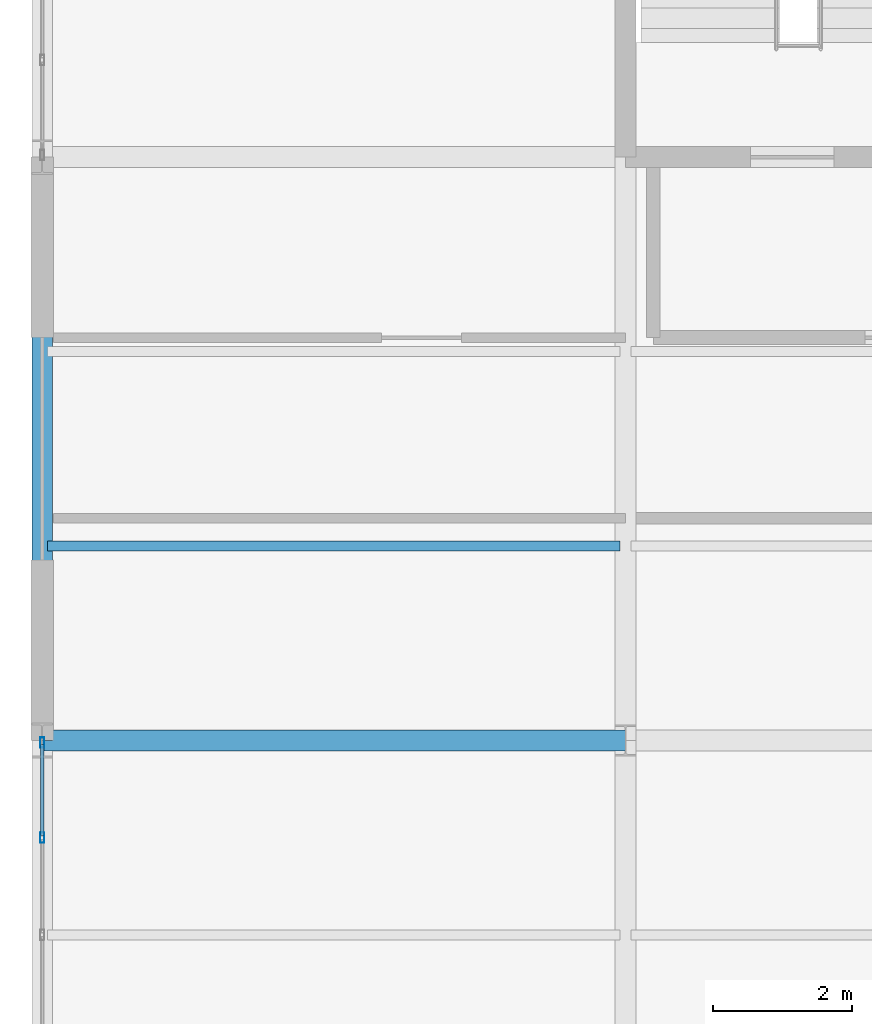
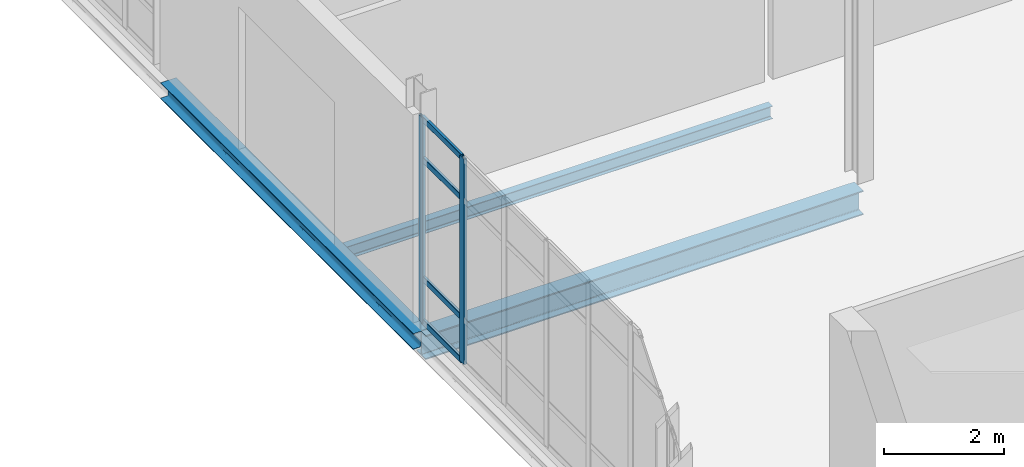
# One storey, part 35 of 145: 6 members, 3 beams, 1 element without a shape of its own.
"""IFC4 building model written with IfcOpenShell, lengths in metres."""

from ifc_helpers import new_model, si_unit, direction, frame, origin, origin_2d, place, context, subcontext, project, spatial, hollow_rectangle, i_section, extrude, material, layer, layer_set, material_profile, profile_set, type_object, element, aggregate, save


model = new_model("IFC4")

# Units and contexts
model_context = context("Model", 3, precision=1e-05, world=origin(), true_north=direction((0.0, 1.0)))
body_context = subcontext(model_context, "Body", "Model", "MODEL_VIEW")
ifc_project = project(units=[si_unit("LENGTHUNIT", "METRE"), si_unit("AREAUNIT", "SQUARE_METRE"), si_unit("VOLUMEUNIT", "CUBIC_METRE"), si_unit("PLANEANGLEUNIT", "RADIAN"), si_unit("MASSUNIT", "GRAM", prefix="KILO")], contexts=[model_context])

# Site, building, storey
site_placement = place(None, origin())
site = spatial("IfcSite", under=ifc_project, at=site_placement, CompositionType="ELEMENT")
building_placement = place(site_placement, origin())
building = spatial("IfcBuilding", under=site, at=building_placement, Name="Qalvenar Corner Mobility Hub", CompositionType="ELEMENT")
storey_placement = place(building_placement, origin())
storey = spatial("IfcBuildingStorey", under=building, at=storey_placement, Name="L00", CompositionType="ELEMENT", Elevation=0.0)

# Beams
ifc_material_1 = material(Name="Steel S355", Category="steel")
ifc_material_profile_1 = material_profile(ifc_material_1, i_section(OverallWidth=0.300048828125, OverallDepth=0.489990234375, WebThickness=0.011962890625, FlangeThickness=0.02294921875, FilletRadius=0.027099609375, at=origin_2d()), Name="HEA500")
ifc_profile_set_1 = profile_set([ifc_material_profile_1], Name="Steel S355")
beam_type_1 = type_object("IfcBeamType", Name="BM-HEA500", PredefinedType="BEAM", material=ifc_profile_set_1)
beam_1_placement = place(storey_placement, frame((0.0, 50.39990234375, -0.465087890625), z_axis=(1.0, 0.0, 0.0), x_axis=(0.0, 1.0, 0.0)))
element("IfcBeam", 1, at=beam_1_placement, inside=storey, type_object=beam_type_1, Name="Primary Steel Girder GX-0423", PredefinedType="BEAM", context=body_context, shape_type="SweptSolid", body=[
    extrude(i_section(OverallWidth=0.300048828125, OverallDepth=0.489990234375, WebThickness=0.011962890625, FlangeThickness=0.02294921875, FilletRadius=0.027099609375, at=origin_2d()), origin(), (0.0, 0.0, 1.0), 8.39990234375),
])
ifc_material_profile_2 = material_profile(ifc_material_1, i_section(OverallWidth=0.14599609375, OverallDepth=0.258056640625, WebThickness=0.006103515625, FlangeThickness=0.009033203125, FilletRadius=0.011962890625, at=origin_2d()), Name="W250x32.7")
ifc_profile_set_2 = profile_set([ifc_material_profile_2], Name="Steel S355")
beam_type_2 = type_object("IfcBeamType", Name="BM-JST250", PredefinedType="JOIST", material=ifc_profile_set_2)
beam_2_placement = place(storey_placement, frame((0.077880859375, 53.199951171875, -0.34912109375), z_axis=(1.0, 0.0, 0.0), x_axis=(0.0, 1.0, 0.0)))
element("IfcBeam", 2, at=beam_2_placement, inside=storey, type_object=beam_type_2, Name="Composite Floor Joist J-0479", PredefinedType="JOIST", context=body_context, shape_type="SweptSolid", body=[
    extrude(i_section(OverallWidth=0.14599609375, OverallDepth=0.258056640625, WebThickness=0.006103515625, FlangeThickness=0.009033203125, FilletRadius=0.011962890625, at=origin_2d()), origin(), (0.0, 0.0, 1.0), 8.244140625),
])
ifc_material_profile_3 = material_profile(ifc_material_1, i_section(OverallWidth=0.300048828125, OverallDepth=0.330078125, WebThickness=0.009521484375, FlangeThickness=0.0166015625, FilletRadius=0.027099609375, at=origin_2d()), Name="HEA340")
ifc_profile_set_3 = profile_set([ifc_material_profile_3], Name="Steel S355")
beam_type_3 = type_object("IfcBeamType", Name="BM-SPN340", PredefinedType="SPANDREL", material=ifc_profile_set_3)
beam_3_placement = place(storey_placement, frame((0.0, 50.39990234375, -0.385009765625), z_axis=(0.0, 1.0, 0.0), x_axis=(-1.0, 0.0, 0.0)))
element("IfcBeam", 3, at=beam_3_placement, inside=storey, type_object=beam_type_3, Name="Primary Steel Girder GY-0448", PredefinedType="SPANDREL", context=body_context, shape_type="SweptSolid", body=[
    extrude(i_section(OverallWidth=0.300048828125, OverallDepth=0.330078125, WebThickness=0.009521484375, FlangeThickness=0.0166015625, FilletRadius=0.027099609375, at=origin_2d()), origin(), (0.0, 0.0, 1.0), 8.400146484375),
])

# Curtain wall, members
ifc_material_2 = material(Name="Anodised Aluminium and Low-E Glazing", Category="aluminium")
ifc_layer = layer(ifc_material_2, 0.14990234375)
ifc_layer_set = layer_set([ifc_layer], Name="Anodised Aluminium and Low-E Glazing")
curtain_wall_type = type_object("IfcCurtainWallType", Name="CW-CYC-84X45", PredefinedType="NOTDEFINED", material=ifc_layer_set)
curtain_wall_placement = place(storey_placement, origin())
curtain_wall = element("IfcCurtainWall", 4, at=curtain_wall_placement, inside=storey, type_object=curtain_wall_type, Name="Glazed Curtain Wall CW-V5-L00-W0", PredefinedType="NOTDEFINED")
ifc_material_3 = material(Name="Anodised Aluminium 6063-T6", Category="aluminium")
ifc_material_profile_4 = material_profile(ifc_material_3, hollow_rectangle(XDim=0.06005859375, YDim=0.14990234375, WallThickness=0.00390625, InnerFilletRadius=0.00390625, OuterFilletRadius=0.008056640625, at=origin_2d()), Name="RHS150x60x4")
ifc_profile_set_4 = profile_set([ifc_material_profile_4], Name="Anodised Aluminium 6063-T6")
member_type_1 = type_object("IfcMemberType", Name="CW-MUL150", PredefinedType="MULLION", material=ifc_profile_set_4)
member_1_placement = place(storey_placement, frame((0.0, 50.3701171875, 0.0), z_axis=(0.0, 0.0, 1.0), x_axis=(1.0, 0.0, 0.0)))
member_1 = element("IfcMember", 5, at=member_1_placement, type_object=member_type_1, Name="CW-07 mullion 1", PredefinedType="MULLION", context=body_context, shape_type="SweptSolid", body=[
    extrude(hollow_rectangle(XDim=0.06005859375, YDim=0.14990234375, WallThickness=0.00390625, InnerFilletRadius=0.00390625, OuterFilletRadius=0.008056640625, at=origin_2d()), origin(), (0.0, 0.0, 1.0), 4.169921875),
])
member_2_placement = place(storey_placement, frame((0.0, 49.0, 0.0), z_axis=(0.0, 0.0, 1.0), x_axis=(1.0, 0.0, 0.0)))
member_2 = element("IfcMember", 6, at=member_2_placement, type_object=member_type_1, Name="CW-07 mullion 2", PredefinedType="MULLION", context=body_context, shape_type="SweptSolid", body=[
    extrude(hollow_rectangle(XDim=0.06005859375, YDim=0.14990234375, WallThickness=0.00390625, InnerFilletRadius=0.00390625, OuterFilletRadius=0.008056640625, at=origin_2d()), origin(), (0.0, 0.0, 1.0), 4.169921875),
])
ifc_material_profile_5 = material_profile(ifc_material_3, hollow_rectangle(XDim=0.054931640625, YDim=0.1201171875, WallThickness=0.00341796875, InnerFilletRadius=0.00341796875, OuterFilletRadius=0.007080078125, at=origin_2d()), Name="RHS120x55x3.5")
ifc_profile_set_5 = profile_set([ifc_material_profile_5], Name="Anodised Aluminium 6063-T6")
member_type_2 = type_object("IfcMemberType", Name="CW-TRN120", PredefinedType="USERDEFINED", material=ifc_profile_set_5)
member_3_placement = place(storey_placement, frame((0.0, 50.340087890625, 0.027587890625), z_axis=(0.0, -1.0, 0.0), x_axis=(1.0, 0.0, 0.0)))
member_3 = element("IfcMember", 7, at=member_3_placement, type_object=member_type_2, Name="CW-07 transom 1.1", ObjectType="TRANSOM", PredefinedType="USERDEFINED", context=body_context, shape_type="SweptSolid", body=[
    extrude(hollow_rectangle(XDim=0.054931640625, YDim=0.1201171875, WallThickness=0.00341796875, InnerFilletRadius=0.00341796875, OuterFilletRadius=0.007080078125, at=origin_2d()), origin(), (0.0, 0.0, 1.0), 1.31005859375),
])
member_4_placement = place(storey_placement, frame((0.0, 50.340087890625, 0.89990234375), z_axis=(0.0, -1.0, 0.0), x_axis=(1.0, 0.0, 0.0)))
member_4 = element("IfcMember", 8, at=member_4_placement, type_object=member_type_2, Name="CW-07 transom 1.2", ObjectType="TRANSOM", PredefinedType="USERDEFINED", context=body_context, shape_type="SweptSolid", body=[
    extrude(hollow_rectangle(XDim=0.054931640625, YDim=0.1201171875, WallThickness=0.00341796875, InnerFilletRadius=0.00341796875, OuterFilletRadius=0.007080078125, at=origin_2d()), origin(), (0.0, 0.0, 1.0), 1.31005859375),
])
member_5_placement = place(storey_placement, frame((0.0, 50.340087890625, 3.320068359375), z_axis=(0.0, -1.0, 0.0), x_axis=(1.0, 0.0, 0.0)))
member_5 = element("IfcMember", 9, at=member_5_placement, type_object=member_type_2, Name="CW-07 transom 1.3", ObjectType="TRANSOM", PredefinedType="USERDEFINED", context=body_context, shape_type="SweptSolid", body=[
    extrude(hollow_rectangle(XDim=0.054931640625, YDim=0.1201171875, WallThickness=0.00341796875, InnerFilletRadius=0.00341796875, OuterFilletRadius=0.007080078125, at=origin_2d()), origin(), (0.0, 0.0, 1.0), 1.31005859375),
])
member_6_placement = place(storey_placement, frame((0.0, 50.340087890625, 4.142578125), z_axis=(0.0, -1.0, 0.0), x_axis=(1.0, 0.0, 0.0)))
member_6 = element("IfcMember", 10, at=member_6_placement, type_object=member_type_2, Name="CW-07 transom 1.4", ObjectType="TRANSOM", PredefinedType="USERDEFINED", context=body_context, shape_type="SweptSolid", body=[
    extrude(hollow_rectangle(XDim=0.054931640625, YDim=0.1201171875, WallThickness=0.00341796875, InnerFilletRadius=0.00341796875, OuterFilletRadius=0.007080078125, at=origin_2d()), origin(), (0.0, 0.0, 1.0), 1.31005859375),
])
aggregate(curtain_wall, [member_1, member_2, member_3, member_4, member_5, member_6])

save(model, "model.ifc")
